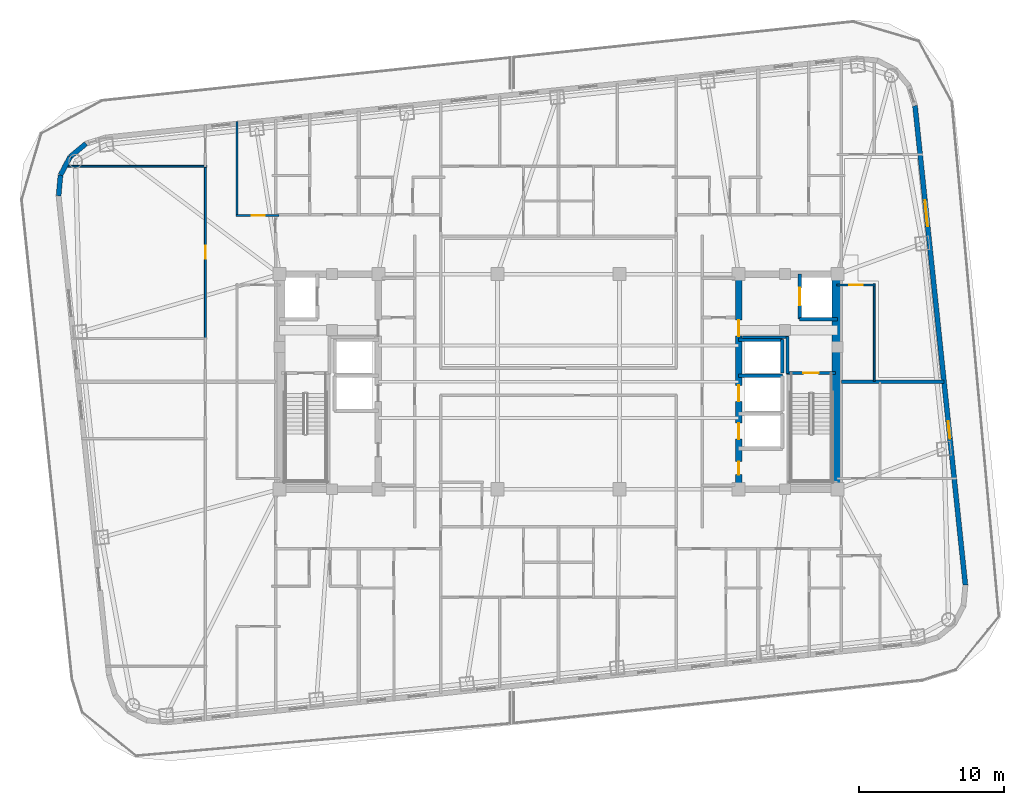
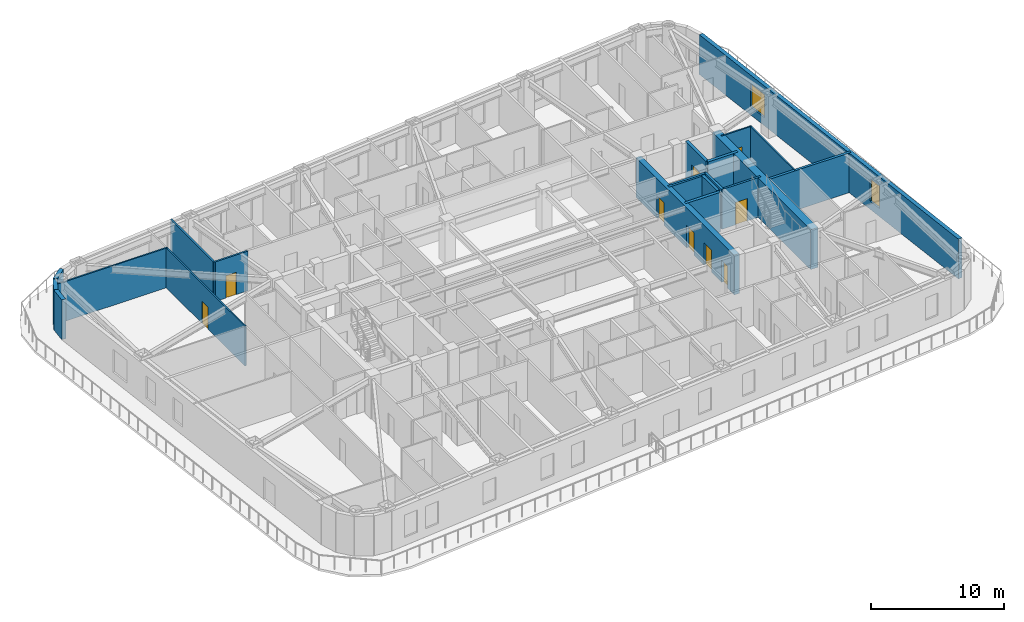
# One storey, part 7 of 15: 21 walls, 9 doors, 2 windows, 11 openings.
"""IFC4 building model written with IfcOpenShell, lengths in metres."""

import ifcopenshell
import ifcopenshell.guid

model = None  # the IFC model being written
_history = None  # IfcOwnerHistory: only IFC2X3 demands one
_inside = {}  # id of a spatial element -> (the spatial element, [elements in it])
_under = {}  # id of a project, library or spatial element -> (it, [spatial elements below it])
_declared = {}  # id of a project -> (the project, [libraries it declares])
_typed = {}  # id of a type object -> (the type object, [elements of that type])
_made_of = {}  # id of a material, layer set ... -> (it, [elements and type objects made of it])


def new_model(schema):
    """Start an empty IFC model of exactly this schema.

    Asked for "IFC4X3", IfcOpenShell would pick the latest addendum, in which some entities
    have other attributes; the version numbers below select the first issue.
    IFC2X3 requires an IfcOwnerHistory on every rooted entity: one is made here for all.
    """
    global model, _history
    if schema == "IFC4X3":
        model = ifcopenshell.file(schema_version=(4, 3, 0, 0))
    else:
        model = ifcopenshell.file(schema=schema)
    _inside.clear()
    _under.clear()
    _declared.clear()
    _typed.clear()
    _made_of.clear()
    _history = None
    if model.schema == "IFC2X3":
        org = make("IfcOrganization", Name="unknown")
        user = make(
            "IfcPersonAndOrganization",
            ThePerson=make("IfcPerson", FamilyName="unknown"),
            TheOrganization=org,
        )
        app = make(
            "IfcApplication",
            ApplicationDeveloper=org,
            Version="unknown",
            ApplicationFullName="unknown",
            ApplicationIdentifier="unknown",
        )
        _history = make(
            "IfcOwnerHistory",
            OwningUser=user,
            OwningApplication=app,
            ChangeAction="ADDED",
            CreationDate=0,
        )
    return model


def make(cls, **values):
    """One entity of the class cls with the attributes given. An attribute that is None is left unset."""
    return model.create_entity(
        cls, **{name: value for name, value in values.items() if value is not None}
    )


def rooted(cls, **values):
    """An entity with a GlobalId (a new one), such as an element, a storey or a relation."""
    return make(cls, GlobalId=ifcopenshell.guid.new(), OwnerHistory=_history, **values)


def si_unit(unit_type, name, prefix=None):
    """IfcSIUnit, for example si_unit("LENGTHUNIT", "METRE", prefix="MILLI")."""
    return make("IfcSIUnit", UnitType=unit_type, Prefix=prefix, Name=name)


def assignment(units):
    """IfcUnitAssignment: the units of a project."""
    return None if units is None else make("IfcUnitAssignment", Units=units)


def point(xyz):
    """IfcCartesianPoint."""
    return None if xyz is None else make("IfcCartesianPoint", Coordinates=xyz)


def direction(xyz):
    """IfcDirection."""
    return None if xyz is None else make("IfcDirection", DirectionRatios=xyz)


def frame(location, z_axis=None, x_axis=None):
    """IfcAxis2Placement3D, a coordinate frame: its origin and axes. An axis left out is left unset."""
    return make(
        "IfcAxis2Placement3D",
        Location=point(location),
        Axis=direction(z_axis),
        RefDirection=direction(x_axis),
    )


def frame_2d(location, x_axis=None):
    """IfcAxis2Placement2D, a coordinate frame in the plane: its origin and x axis."""
    return make(
        "IfcAxis2Placement2D", Location=point(location), RefDirection=direction(x_axis)
    )


def origin():
    """The frame at (0, 0, 0) with its axes left unset."""
    return frame((0.0, 0.0, 0.0))


def place(relative_to, where):
    """IfcLocalPlacement: puts the frame where relative to a parent placement (None: the world)."""
    return make(
        "IfcLocalPlacement", PlacementRelTo=relative_to, RelativePlacement=where
    )


def context(
    kind, dimensions, precision=None, world=None, true_north=None, identifier=None
):
    """IfcGeometricRepresentationContext, for example the 3D "Model" context."""
    return make(
        "IfcGeometricRepresentationContext",
        ContextIdentifier=identifier,
        ContextType=kind,
        CoordinateSpaceDimension=dimensions,
        Precision=precision,
        WorldCoordinateSystem=world,
        TrueNorth=true_north,
    )


def subcontext(parent, identifier, kind, view, scale=None):
    """IfcGeometricRepresentationSubContext, for example "Body" below "Model"."""
    return make(
        "IfcGeometricRepresentationSubContext",
        ContextIdentifier=identifier,
        ContextType=kind,
        ParentContext=parent,
        TargetScale=scale,
        TargetView=view,
    )


def project(units=None, contexts=None):
    """IfcProject with its units and contexts."""
    return rooted(
        "IfcProject",
        Name="project",
        RepresentationContexts=contexts,
        UnitsInContext=assignment(units),
    )


def spatial(cls, under=None, at=None, **own):
    """A site, building, storey or space (cls), placed at a placement, below another one or the project."""
    s = rooted(cls, ObjectPlacement=at, **own)
    if under is not None:
        _under.setdefault(under.id(), (under, []))[1].append(s)
    return s


def profile(cls, at=None, kind="AREA", **sizes):
    """A parametric profile (cls). Its sizes go by their IFC names, for example OverallWidth=200.0."""
    return make(cls, ProfileType=kind, Position=at, **sizes)


def rectangle(**sizes):
    """IfcRectangleProfileDef."""
    return profile("IfcRectangleProfileDef", **sizes)


def extrude(swept, where, along, depth):
    """IfcExtrudedAreaSolid: the profile swept, set in the frame where, extruded along a direction by depth."""
    return make(
        "IfcExtrudedAreaSolid",
        SweptArea=swept,
        Position=where,
        ExtrudedDirection=direction(along),
        Depth=depth,
    )


def shape(context_of_items, identifier, shape_type, items):
    """IfcShapeRepresentation: the items that make up one representation, for example the "Body"."""
    return make(
        "IfcShapeRepresentation",
        ContextOfItems=context_of_items,
        RepresentationIdentifier=identifier,
        RepresentationType=shape_type,
        Items=items,
    )


def material(Name=None, Category=None):
    """IfcMaterial."""
    return make("IfcMaterial", Name=Name, Category=Category)


def layer(
    of_material, thickness, ventilated=None, Name=None, Category=None, Priority=None
):
    """IfcMaterialLayer: one layer of a wall or slab, of a material (None: an air gap)."""
    return make(
        "IfcMaterialLayer",
        Material=of_material,
        LayerThickness=thickness,
        IsVentilated=ventilated,
        Name=Name,
        Category=Category,
        Priority=Priority,
    )


def layer_set(layers, Name=None):
    """IfcMaterialLayerSet."""
    return make("IfcMaterialLayerSet", MaterialLayers=layers, LayerSetName=Name)


def made_of(thing, what):
    """Note that an element or type object is made of a material, layer set ...; save() writes the relation."""
    if what is not None:
        _made_of.setdefault(what.id(), (what, []))[1].append(thing)
    return thing


def type_object(cls, material=None, **own):
    """A type object (cls), such as IfcWallType, which elements share."""
    return made_of(rooted(cls, **own), material)


def element(
    cls,
    number,
    at=None,
    inside=None,
    cuts=None,
    type_object=None,
    material=None,
    context=None,
    identifier="Body",
    shape_type=None,
    held_by="IfcProductDefinitionShape",
    body=None,
    shapes=None,
    **own,
):
    """One element of the class cls, such as IfcWall. Its Tag is "e" and its number.

    at: its placement. inside: the storey or other place that contains it. cuts: it is an
    opening in that element (IfcRelVoidsElement). A single representation is given by context,
    identifier, shape_type and body (its items); several are given by shapes. held_by: the class
    of the entity that holds the representations. save() writes the other relations.
    """
    e = rooted(cls, Tag="e%d" % number, ObjectPlacement=at, **own)
    if body is not None:
        shapes = [shape(context, identifier, shape_type, body)]
    if shapes is not None:
        e.Representation = make(held_by, Representations=shapes)
    if inside is not None:
        _inside.setdefault(inside.id(), (inside, []))[1].append(e)
    if cuts is not None:
        rooted(
            "IfcRelVoidsElement", RelatingBuildingElement=cuts, RelatedOpeningElement=e
        )
    if type_object is not None:
        _typed.setdefault(type_object.id(), (type_object, []))[1].append(e)
    return made_of(e, material)


def fill(opening, filler):
    """IfcRelFillsElement: the door or window that sits in an opening."""
    return rooted(
        "IfcRelFillsElement",
        RelatingOpeningElement=opening,
        RelatedBuildingElement=filler,
    )


def aggregate(whole, parts):
    """IfcRelAggregates: a whole, such as a stair, and the parts it consists of."""
    return rooted("IfcRelAggregates", RelatingObject=whole, RelatedObjects=parts)


def save(model, path):
    """Write the relations noted so far, then the file.

    IfcRelAggregates (storeys below a building ...), IfcRelContainedInSpatialStructure (elements
    in a storey), IfcRelDefinesByType, IfcRelAssociatesMaterial and IfcRelDeclares: one each for
    every whole, place, type object, material and project.
    """
    for whole, parts in _under.values():
        aggregate(whole, parts)
    for where, things in _inside.values():
        rooted(
            "IfcRelContainedInSpatialStructure",
            RelatedElements=things,
            RelatingStructure=where,
        )
    for kind, things in _typed.values():
        rooted("IfcRelDefinesByType", RelatedObjects=things, RelatingType=kind)
    for what, things in _made_of.values():
        rooted("IfcRelAssociatesMaterial", RelatedObjects=things, RelatingMaterial=what)
    for by, libraries in _declared.values():
        rooted("IfcRelDeclares", RelatingContext=by, RelatedDefinitions=libraries)
    model.write(path)


model = new_model("IFC4")

# Units and contexts
model_context = context("Model", 3, precision=1e-05, world=origin(), true_north=direction((0.0, 1.0)))
body_context = subcontext(model_context, "Body", "Model", "MODEL_VIEW")
ifc_project = project(units=[si_unit("LENGTHUNIT", "METRE"), si_unit("AREAUNIT", "SQUARE_METRE"), si_unit("VOLUMEUNIT", "CUBIC_METRE"), si_unit("PLANEANGLEUNIT", "RADIAN"), si_unit("MASSUNIT", "GRAM", prefix="KILO")], contexts=[model_context])

# Site, building, storey
site_placement = place(None, origin())
site = spatial("IfcSite", under=ifc_project, at=site_placement, CompositionType="ELEMENT")
building_placement = place(site_placement, origin())
building = spatial("IfcBuilding", under=site, at=building_placement, Name="Voryun Gate Residences", CompositionType="ELEMENT")
storey_placement = place(building_placement, frame((0.0, 0.0, 171.60009765625)))
storey = spatial("IfcBuildingStorey", under=building, at=storey_placement, Name="L42", CompositionType="ELEMENT", Elevation=171.60009765625)

# Wall, openings, doors
ifc_material_1 = material(Name="Concrete C50/60", Category="concrete")
ifc_layer_1 = layer(ifc_material_1, 0.449951171875, Name="CW_CORE_450")
ifc_layer_set_1 = layer_set([ifc_layer_1], Name="Concrete C50/60")
wall_type_1 = type_object("IfcWallType", Name="CW_CORE_450", PredefinedType="SHEAR", material=ifc_layer_set_1)
wall_1_placement = place(storey_placement, frame((12.39990234375, -7.39990234375, 0.0), z_axis=(0.0, 0.0, 1.0), x_axis=(0.0, 1.0, 0.0)))
wall_1 = element("IfcWall", 1, at=wall_1_placement, inside=storey, type_object=wall_type_1, Name="L42 Core shear wall CW-L42-EW", PredefinedType="SHEAR", context=body_context, shape_type="SweptSolid", body=[
    extrude(rectangle(XDim=14.7998046875, YDim=0.449951171875, at=frame_2d((7.39990234375, 0.0))), origin(), (0.0, 0.0, 1.0), 3.64990234375),
])
opening_1_placement = place(wall_1_placement, frame((3.449951171875, 0.0, 0.0)))
opening_1 = element("IfcOpeningElement", 2, at=opening_1_placement, cuts=wall_1, Name="Opening LD2", PredefinedType="OPENING", context=body_context, shape_type="SweptSolid", body=[
    extrude(rectangle(XDim=1.10009765625, YDim=2.050048828125, at=frame_2d((0.550048828125, 1.02490234375))), frame((0.0, 0.235107421875, 0.0), z_axis=(0.0, -1.0, 0.0), x_axis=(1.0, 0.0, 0.0)), (0.0, 0.0, 1.0), 0.469970703125),
])
opening_2_placement = place(wall_1_placement, frame((6.050048828125, 0.0, 0.0)))
opening_2 = element("IfcOpeningElement", 3, at=opening_2_placement, cuts=wall_1, Name="Opening LD2", PredefinedType="OPENING", context=body_context, shape_type="SweptSolid", body=[
    extrude(rectangle(XDim=1.10009765625, YDim=2.050048828125, at=frame_2d((0.550048828125, 1.02490234375))), frame((0.0, 0.235107421875, 0.0), z_axis=(0.0, -1.0, 0.0), x_axis=(1.0, 0.0, 0.0)), (0.0, 0.0, 1.0), 0.469970703125),
])
opening_3_placement = place(wall_1_placement, frame((10.530029296875, 0.0, 0.0)))
opening_3 = element("IfcOpeningElement", 4, at=opening_3_placement, cuts=wall_1, Name="Opening D-FD60-2", PredefinedType="OPENING", context=body_context, shape_type="SweptSolid", body=[
    extrude(rectangle(XDim=1.10009765625, YDim=2.050048828125, at=frame_2d((0.550048828125, 1.02490234375))), frame((0.0, 0.235107421875, 0.0), z_axis=(0.0, -1.0, 0.0), x_axis=(1.0, 0.0, 0.0)), (0.0, 0.0, 1.0), 0.469970703125),
])
opening_4_placement = place(wall_1_placement, frame((1.0, 0.0, 0.0)))
opening_4 = element("IfcOpeningElement", 5, at=opening_4_placement, cuts=wall_1, Name="Opening D-FD60-4", PredefinedType="OPENING", context=body_context, shape_type="SweptSolid", body=[
    extrude(rectangle(XDim=0.89990234375, YDim=2.050048828125, at=frame_2d((0.449951171875, 1.02490234375))), frame((0.0, 0.235107421875, 0.0), z_axis=(0.0, -1.0, 0.0), x_axis=(1.0, 0.0, 0.0)), (0.0, 0.0, 1.0), 0.469970703125),
])
ifc_material_2 = material(Name="Painted steel fire door", Category="steel")
door_type_1 = type_object("IfcDoorType", Name="DR_FD60_FFLOB_1100", OperationType="NOTDEFINED", PredefinedType="DOOR", material=ifc_material_2)
door_1_placement = place(opening_3_placement, origin())
door_1 = element("IfcDoor", 6, at=door_1_placement, inside=storey, type_object=door_type_1, Name="Door DR-L42-CLOB-E", OperationType="SINGLE_SWING_RIGHT", OverallHeight=2.050048828125, OverallWidth=1.10009765625, PredefinedType="DOOR", context=body_context, shape_type="SweptSolid", body=[
    extrude(rectangle(XDim=1.10009765625, YDim=2.050048828125, at=frame_2d((0.550048828125, 1.02490234375))), frame((0.0, 0.02490234375, 0.0), z_axis=(0.0, -1.0, 0.0), x_axis=(1.0, 0.0, 0.0)), (0.0, 0.0, 1.0), 0.050048828125),
])
fill(opening_3, door_1)
ifc_material_3 = material(Name="Painted steel fire door", Category="steel")
door_type_2 = type_object("IfcDoorType", Name="DR_FD60_RISER_900", OperationType="NOTDEFINED", PredefinedType="DOOR", material=ifc_material_3)
door_2_placement = place(opening_4_placement, origin())
door_2 = element("IfcDoor", 7, at=door_2_placement, inside=storey, type_object=door_type_2, Name="Door DR-L42-RECE1", OperationType="SINGLE_SWING_RIGHT", OverallHeight=2.050048828125, OverallWidth=0.89990234375, PredefinedType="DOOR", context=body_context, shape_type="SweptSolid", body=[
    extrude(rectangle(XDim=0.89990234375, YDim=2.050048828125, at=frame_2d((0.449951171875, 1.02490234375))), frame((0.0, 0.02490234375, 0.0), z_axis=(0.0, -1.0, 0.0), x_axis=(1.0, 0.0, 0.0)), (0.0, 0.0, 1.0), 0.050048828125),
])
fill(opening_4, door_2)
ifc_material_4 = material(Name="Anodised aluminium", Category="aluminium")
door_type_3 = type_object("IfcDoorType", Name="DR_LD_PASS_1100", OperationType="NOTDEFINED", PredefinedType="DOOR", material=ifc_material_4)
door_3_placement = place(opening_1_placement, origin())
door_3 = element("IfcDoor", 8, at=door_3_placement, inside=storey, type_object=door_type_3, Name="Lift EL-P5 sliding landing door L42", OperationType="SLIDING_TO_LEFT", OverallHeight=2.050048828125, OverallWidth=1.10009765625, PredefinedType="DOOR", context=body_context, shape_type="SweptSolid", body=[
    extrude(rectangle(XDim=1.10009765625, YDim=2.050048828125, at=frame_2d((0.550048828125, 1.02490234375))), frame((0.0, 0.02490234375, 0.0), z_axis=(0.0, -1.0, 0.0), x_axis=(1.0, 0.0, 0.0)), (0.0, 0.0, 1.0), 0.050048828125),
])
fill(opening_1, door_3)
door_4_placement = place(opening_2_placement, origin())
door_4 = element("IfcDoor", 9, at=door_4_placement, inside=storey, type_object=door_type_3, Name="Lift EL-P6 sliding landing door L42", OperationType="SLIDING_TO_LEFT", OverallHeight=2.050048828125, OverallWidth=1.10009765625, PredefinedType="DOOR", context=body_context, shape_type="SweptSolid", body=[
    extrude(rectangle(XDim=1.10009765625, YDim=2.050048828125, at=frame_2d((0.550048828125, 1.02490234375))), frame((0.0, 0.02490234375, 0.0), z_axis=(0.0, -1.0, 0.0), x_axis=(1.0, 0.0, 0.0)), (0.0, 0.0, 1.0), 0.050048828125),
])
fill(opening_2, door_4)

# Wall
ifc_material_5 = material(Name="Concrete C60/75", Category="concrete")
ifc_layer_2 = layer(ifc_material_5, 0.64990234375, Name="CW_CORE_650")
ifc_layer_set_2 = layer_set([ifc_layer_2], Name="Concrete C60/75")
wall_type_2 = type_object("IfcWallType", Name="CW_CORE_650", PredefinedType="SHEAR", material=ifc_layer_set_2)
wall_2_placement = place(storey_placement, frame((19.14501953125, -7.39990234375, 0.0), z_axis=(0.0, 0.0, 1.0), x_axis=(0.0, 1.0, 0.0)))
element("IfcWall", 10, at=wall_2_placement, inside=storey, type_object=wall_type_2, Name="L42 Core shear wall CW-L42-EE", PredefinedType="SHEAR", context=body_context, shape_type="SweptSolid", body=[
    extrude(rectangle(XDim=14.7998046875, YDim=0.64990234375, at=frame_2d((7.39990234375, 0.0))), origin(), (0.0, 0.0, 1.0), 3.64990234375),
])

# Wall, opening, door
ifc_material_6 = material(Name="Gypsum acoustic fireboard")
ifc_layer_3 = layer(ifc_material_6, 0.179931640625, Name="W_CORR_RATED_180")
ifc_layer_set_3 = layer_set([ifc_layer_3], Name="Gypsum acoustic fireboard")
wall_type_3 = type_object("IfcWallType", Name="W_CORR_RATED_180", PredefinedType="PARTITIONING", material=ifc_layer_set_3)
wall_3_placement = place(storey_placement, frame((15.699951171875, 0.60009765625, 0.0), z_axis=(0.0, 0.0, 1.0), x_axis=(1.0, 0.0, 0.0)))
wall_3 = element("IfcWall", 11, at=wall_3_placement, inside=storey, type_object=wall_type_3, Name="Partition wall WP-L42-STV-E", PredefinedType="PARTITIONING", context=body_context, shape_type="SweptSolid", body=[
    extrude(rectangle(XDim=3.360107421875, YDim=0.179931640625, at=frame_2d((1.68017578125, 0.0))), origin(), (0.0, 0.0, 1.0), 3.64990234375),
])
opening_5_placement = place(wall_3_placement, frame((1.155029296875, 0.0, 0.0)))
opening_5 = element("IfcOpeningElement", 12, at=opening_5_placement, cuts=wall_3, Name="Opening D-FD60-1", PredefinedType="OPENING", context=body_context, shape_type="SweptSolid", body=[
    extrude(rectangle(XDim=1.050048828125, YDim=2.050048828125, at=frame_2d((0.52490234375, 1.02490234375))), frame((0.0, 0.099853515625, 0.0), z_axis=(0.0, -1.0, 0.0), x_axis=(1.0, 0.0, 0.0)), (0.0, 0.0, 1.0), 0.199951171875),
])
ifc_material_7 = material(Name="Painted steel fire door", Category="steel")
door_type_4 = type_object("IfcDoorType", Name="DR_FD60_STAIR_1050", OperationType="NOTDEFINED", PredefinedType="DOOR", material=ifc_material_7)
door_5_placement = place(opening_5_placement, origin())
door_5 = element("IfcDoor", 13, at=door_5_placement, inside=storey, type_object=door_type_4, Name="Door DR-L42-ST-E", OperationType="SINGLE_SWING_RIGHT", OverallHeight=2.050048828125, OverallWidth=1.050048828125, PredefinedType="DOOR", context=body_context, shape_type="SweptSolid", body=[
    extrude(rectangle(XDim=1.050048828125, YDim=2.050048828125, at=frame_2d((0.52490234375, 1.02490234375))), frame((0.0, 0.02490234375, 0.0), z_axis=(0.0, -1.0, 0.0), x_axis=(1.0, 0.0, 0.0)), (0.0, 0.0, 1.0), 0.050048828125),
])
fill(opening_5, door_5)

# Walls
ifc_material_8 = material(Name="Charcoal terracotta masonry", Category="masonry")
ifc_layer_4 = layer(ifc_material_8, 0.340087890625, Name="W_EXT_TERRACOTTA_340")
ifc_layer_set_4 = layer_set([ifc_layer_4], Name="Charcoal terracotta masonry")
wall_type_4 = type_object("IfcWallType", Name="W_EXT_TERRACOTTA_340", PredefinedType="ELEMENTEDWALL", material=ifc_layer_set_4)
wall_4_placement = place(storey_placement, frame((-34.401123046875, 12.795166015625, 0.0), z_axis=(0.0, 0.0, 1.0), x_axis=(0.091534682358, 0.995801888894, 0.0)))
element("IfcWall", 14, at=wall_4_placement, inside=storey, type_object=wall_type_4, Name="Exterior wall WEXT-L42-07", PredefinedType="ELEMENTEDWALL", context=body_context, shape_type="SweptSolid", body=[
    extrude(rectangle(XDim=1.432373046875, YDim=0.340087890625, at=frame_2d((0.71630859375, 0.0))), origin(), (0.0, 0.0, 1.0), 3.64990234375),
])
for number, where, z_axis, x_axis, name in (
    (15, (-34.27001953125, 14.221435546875, 0.0), (0.0, 0.0, 1.0), (0.465682431293, 0.884951904447, 0.0), "Exterior wall WEXT-L42-08"),
    (16, (-33.611083984375, 15.4736328125, 0.0), (0.0, 0.0, 1.0), (0.768843196093, 0.639437361921, 0.0), "Exterior wall WEXT-L42-09"),
):
    element("IfcWall", number, at=place(storey_placement, frame(where, z_axis=z_axis, x_axis=x_axis)), inside=storey, type_object=wall_type_4, Name=name, PredefinedType="ELEMENTEDWALL", context=body_context, shape_type="SweptSolid", body=[
        extrude(rectangle(XDim=1.4150390625, YDim=0.340087890625, at=frame_2d((0.70751953125, 0.0))), origin(), (0.0, 0.0, 1.0), 3.64990234375),
    ])

# Wall, openings, windows
wall_5_placement = place(storey_placement, frame((24.5341796875, 18.989501953125, 0.0), z_axis=(0.0, 0.0, 1.0), x_axis=(0.104534959766, -0.994521212537, 0.0)))
wall_5 = element("IfcWall", 17, at=wall_5_placement, inside=storey, type_object=wall_type_4, Name="Exterior wall WEXT-L42-16", PredefinedType="ELEMENTEDWALL", context=body_context, shape_type="SweptSolid", body=[
    extrude(rectangle(XDim=33.166259765625, YDim=0.340087890625, at=frame_2d((16.5830078125, 0.0))), origin(), (0.0, 0.0, 1.0), 3.64990234375),
])
opening_6_placement = place(wall_5_placement, frame((6.54150390625, 0.0, 0.75)))
opening_6 = element("IfcOpeningElement", 18, at=opening_6_placement, cuts=wall_5, Name="Opening WN1", PredefinedType="OPENING", context=body_context, shape_type="SweptSolid", body=[
    extrude(rectangle(XDim=1.800048828125, YDim=2.10009765625, at=frame_2d((0.89990234375, 1.050048828125))), frame((0.0, 0.179931640625, 0.0), z_axis=(0.0, -1.0, 0.0), x_axis=(1.0, 0.0, 0.0)), (0.0, 0.0, 1.0), 0.360107421875),
])
opening_7_placement = place(wall_5_placement, frame((21.840087890625, 0.0, 0.75)))
opening_7 = element("IfcOpeningElement", 19, at=opening_7_placement, cuts=wall_5, Name="Opening WN6", PredefinedType="OPENING", context=body_context, shape_type="SweptSolid", body=[
    extrude(rectangle(XDim=1.199951171875, YDim=2.050048828125, at=frame_2d((0.60009765625, 1.02490234375))), frame((0.0, 0.179931640625, 0.0), z_axis=(0.0, -1.0, 0.0), x_axis=(1.0, 0.0, 0.0)), (0.0, 0.0, 1.0), 0.360107421875),
])
ifc_material_9 = material(Name="Laminated low-E glass", Category="glass")
window_type_1 = type_object("IfcWindowType", Name="WN_POD_SLOT_1200", PartitioningType="SINGLE_PANEL", PredefinedType="WINDOW", material=ifc_material_9)
window_1_placement = place(opening_7_placement, origin())
window_1 = element("IfcWindow", 20, at=window_1_placement, inside=storey, type_object=window_type_1, Name="Window WN-L42-DWFIX-27", OverallHeight=2.050048828125, OverallWidth=1.199951171875, PartitioningType="SINGLE_PANEL", PredefinedType="WINDOW", context=body_context, shape_type="SweptSolid", body=[
    extrude(rectangle(XDim=1.199951171875, YDim=2.050048828125, at=frame_2d((0.60009765625, 1.02490234375))), frame((0.0, 0.030029296875, 0.0), z_axis=(0.0, -1.0, 0.0), x_axis=(1.0, 0.0, 0.0)), (0.0, 0.0, 1.0), 0.06005859375),
])
fill(opening_7, window_1)
ifc_material_10 = material(Name="Laminated low-E glass", Category="glass")
window_type_2 = type_object("IfcWindowType", Name="WN_RES_PUNCH_1800", PartitioningType="SINGLE_PANEL", PredefinedType="WINDOW", material=ifc_material_10)
window_2_placement = place(opening_6_placement, origin())
window_2 = element("IfcWindow", 21, at=window_2_placement, inside=storey, type_object=window_type_2, Name="Window WN-WEXT-L42-16-01", OverallHeight=2.10009765625, OverallWidth=1.800048828125, PartitioningType="SINGLE_PANEL", PredefinedType="WINDOW", context=body_context, shape_type="SweptSolid", body=[
    extrude(rectangle(XDim=1.800048828125, YDim=2.10009765625, at=frame_2d((0.89990234375, 1.050048828125))), frame((0.0, 0.030029296875, 0.0), z_axis=(0.0, -1.0, 0.0), x_axis=(1.0, 0.0, 0.0)), (0.0, 0.0, 1.0), 0.06005859375),
])
fill(opening_6, window_2)

# Walls
ifc_material_11 = material(Name="Concrete C40/50", Category="concrete")
ifc_layer_5 = layer(ifc_material_11, 0.199951171875, Name="W_FF_LOBBY_200")
ifc_layer_set_5 = layer_set([ifc_layer_5], Name="Concrete C40/50")
wall_type_5 = type_object("IfcWallType", Name="W_FF_LOBBY_200", PredefinedType="PARTITIONING", material=ifc_layer_set_5)
wall_6_placement = place(storey_placement, frame((15.760009765625, 0.580078125, 0.0), z_axis=(0.0, 0.0, 1.0), x_axis=(0.0, 1.0, 0.0)))
element("IfcWall", 22, at=wall_6_placement, inside=storey, type_object=wall_type_5, Name="Partition wall WP-L42-FFP0-E", PredefinedType="PARTITIONING", context=body_context, shape_type="SweptSolid", body=[
    extrude(rectangle(XDim=2.52001953125, YDim=0.199951171875, at=frame_2d((1.260009765625, 0.0))), origin(), (0.0, 0.0, 1.0), 3.64990234375),
])
wall_7_placement = place(storey_placement, frame((12.659912109375, 3.06005859375, 0.0), z_axis=(0.0, 0.0, 1.0), x_axis=(1.0, 0.0, 0.0)))
element("IfcWall", 23, at=wall_7_placement, inside=storey, type_object=wall_type_5, Name="Partition wall WP-L42-FFPS-E", PredefinedType="PARTITIONING", context=body_context, shape_type="SweptSolid", body=[
    extrude(rectangle(XDim=3.16015625, YDim=0.199951171875, at=frame_2d((1.580078125, 0.0))), origin(), (0.0, 0.0, 1.0), 3.64990234375),
])
ifc_material_12 = material(Name="Concrete C40/50", Category="concrete")
ifc_layer_6 = layer(ifc_material_12, 0.219970703125, Name="W_PARTY_ACOUSTIC_220")
ifc_layer_set_6 = layer_set([ifc_layer_6], Name="Concrete C40/50")
wall_type_6 = type_object("IfcWallType", Name="W_PARTY_ACOUSTIC_220", PredefinedType="PARTITIONING", material=ifc_layer_set_6)
wall_8_placement = place(storey_placement, frame((19.469970703125, 0.0, 0.0), z_axis=(0.0, 0.0, 1.0), x_axis=(1.0, 0.0, 0.0)))
element("IfcWall", 24, at=wall_8_placement, inside=storey, type_object=wall_type_6, Name="Partition wall WP-L42-EPTY", PredefinedType="PARTITIONING", context=body_context, shape_type="SweptSolid", body=[
    extrude(rectangle(XDim=7.06005859375, YDim=0.219970703125, at=frame_2d((3.530029296875, 0.0))), origin(), (0.0, 0.0, 1.0), 3.64990234375),
])
ifc_material_13 = material(Name="Concrete C50/60", Category="concrete")
ifc_layer_7 = layer(ifc_material_13, 0.25, Name="W_SHAFT_RC250")
ifc_layer_set_7 = layer_set([ifc_layer_7], Name="Concrete C50/60")
wall_type_7 = type_object("IfcWallType", Name="W_SHAFT_RC250", PredefinedType="SOLIDWALL", material=ifc_layer_set_7)
wall_9_placement = place(storey_placement, frame((16.60009765625, 4.300048828125, 0.0), z_axis=(0.0, 0.0, 1.0), x_axis=(1.0, 0.0, 0.0)))
element("IfcWall", 25, at=wall_9_placement, inside=storey, type_object=wall_type_7, Name="Lift shaft wall WSH-L42-EL-FF-E1-S", PredefinedType="SOLIDWALL", context=body_context, shape_type="SweptSolid", body=[
    extrude(rectangle(XDim=2.599853515625, YDim=0.25, at=frame_2d((1.2998046875, 0.0))), origin(), (0.0, 0.0, 1.0), 3.64990234375),
])

# Wall, opening, door
wall_10_placement = place(storey_placement, frame((16.60009765625, 7.39990234375, 0.0), z_axis=(0.0, 0.0, 1.0), x_axis=(0.0, -1.0, 0.0)))
wall_10 = element("IfcWall", 26, at=wall_10_placement, inside=storey, type_object=wall_type_7, Name="Lift shaft wall WSH-L42-EL-FF-E1-W", PredefinedType="SOLIDWALL", context=body_context, shape_type="SweptSolid", body=[
    extrude(rectangle(XDim=3.099853515625, YDim=0.25, at=frame_2d((1.5498046875, 0.0))), origin(), (0.0, 0.0, 1.0), 3.64990234375),
])
opening_8_placement = place(wall_10_placement, frame((0.949951171875, 0.0, 0.0)))
opening_8 = element("IfcOpeningElement", 27, at=opening_8_placement, cuts=wall_10, Name="Opening LD1", PredefinedType="OPENING", context=body_context, shape_type="SweptSolid", body=[
    extrude(rectangle(XDim=1.199951171875, YDim=2.050048828125, at=frame_2d((0.60009765625, 1.02490234375))), frame((0.0, 0.135009765625, 0.0), z_axis=(0.0, -1.0, 0.0), x_axis=(1.0, 0.0, 0.0)), (0.0, 0.0, 1.0), 0.27001953125),
])
ifc_material_14 = material(Name="Anodised aluminium", Category="aluminium")
door_type_5 = type_object("IfcDoorType", Name="DR_LD_FF_1200", OperationType="NOTDEFINED", PredefinedType="DOOR", material=ifc_material_14)
door_6_placement = place(opening_8_placement, origin())
door_6 = element("IfcDoor", 28, at=door_6_placement, inside=storey, type_object=door_type_5, Name="Lift EL-FF-E1 sliding landing door L42", OperationType="SLIDING_TO_LEFT", OverallHeight=2.050048828125, OverallWidth=1.199951171875, PredefinedType="DOOR", context=body_context, shape_type="SweptSolid", body=[
    extrude(rectangle(XDim=1.199951171875, YDim=2.050048828125, at=frame_2d((0.60009765625, 1.02490234375))), frame((0.0, 0.02490234375, 0.0), z_axis=(0.0, -1.0, 0.0), x_axis=(1.0, 0.0, 0.0)), (0.0, 0.0, 1.0), 0.050048828125),
])
fill(opening_8, door_6)

# Walls
wall_11_placement = place(storey_placement, frame((15.39990234375, 0.39990234375, 0.0), z_axis=(0.0, 0.0, 1.0), x_axis=(-1.0, 0.0, 0.0)))
element("IfcWall", 29, at=wall_11_placement, inside=storey, type_object=wall_type_7, Name="Lift shaft wall WSH-L42-EL-P6-N", PredefinedType="SOLIDWALL", context=body_context, shape_type="SweptSolid", body=[
    extrude(rectangle(XDim=3.0, YDim=0.25, at=frame_2d((1.5, 0.0))), origin(), (0.0, 0.0, 1.0), 3.64990234375),
])
wall_12_placement = place(storey_placement, frame((15.39990234375, 0.60009765625, 0.0), z_axis=(0.0, 0.0, 1.0), x_axis=(0.0, 1.0, 0.0)))
element("IfcWall", 30, at=wall_12_placement, inside=storey, type_object=wall_type_7, Name="Lift shaft wall WSH-L42-EL-P8-E", PredefinedType="SOLIDWALL", context=body_context, shape_type="SweptSolid", body=[
    extrude(rectangle(XDim=2.2998046875, YDim=0.25, at=frame_2d((1.14990234375, 0.0))), origin(), (0.0, 0.0, 1.0), 3.64990234375),
])
wall_13_placement = place(storey_placement, frame((15.39990234375, 2.89990234375, 0.0), z_axis=(0.0, 0.0, 1.0), x_axis=(-1.0, 0.0, 0.0)))
element("IfcWall", 31, at=wall_13_placement, inside=storey, type_object=wall_type_7, Name="Lift shaft wall WSH-L42-EL-P8-N", PredefinedType="SOLIDWALL", context=body_context, shape_type="SweptSolid", body=[
    extrude(rectangle(XDim=3.0, YDim=0.25, at=frame_2d((1.5, 0.0))), origin(), (0.0, 0.0, 1.0), 3.64990234375),
])
ifc_material_15 = material(Name="Gypsum acoustic partition")
ifc_layer_8 = layer(ifc_material_15, 0.125, Name="W_UNIT_PART_125")
ifc_layer_set_8 = layer_set([ifc_layer_8], Name="Gypsum acoustic partition")
wall_type_8 = type_object("IfcWallType", Name="W_UNIT_PART_125", PredefinedType="PARTITIONING", material=ifc_layer_set_8)
wall_14_placement = place(storey_placement, frame((-34.1171875, 14.833984375, 0.0), z_axis=(0.0, 0.0, 1.0), x_axis=(1.0, 0.0, 0.0)))
element("IfcWall", 32, at=wall_14_placement, inside=storey, type_object=wall_type_8, Name="Partition wall WP-L42-W2-OH2", PredefinedType="PARTITIONING", context=body_context, shape_type="SweptSolid", body=[
    extrude(rectangle(XDim=9.897216796875, YDim=0.125, at=frame_2d((4.94873046875, 0.0))), origin(), (0.0, 0.0, 1.0), 3.64990234375),
])

# Wall, opening, door
wall_15_placement = place(storey_placement, frame((-24.300048828125, 2.928955078125, 0.0), z_axis=(0.0, 0.0, 1.0), x_axis=(0.0, 1.0, 0.0)))
wall_15 = element("IfcWall", 33, at=wall_15_placement, inside=storey, type_object=wall_type_8, Name="Partition wall WP-L42-W2-OVX2", PredefinedType="PARTITIONING", context=body_context, shape_type="SweptSolid", body=[
    extrude(rectangle(XDim=11.955078125, YDim=0.125, at=frame_2d((5.9775390625, 0.0))), origin(), (0.0, 0.0, 1.0), 3.64990234375),
])
opening_9_placement = place(wall_15_placement, frame((5.527587890625, 0.0, 0.0)))
opening_9 = element("IfcOpeningElement", 34, at=opening_9_placement, cuts=wall_15, Name="Opening D-INT-2", PredefinedType="OPENING", context=body_context, shape_type="SweptSolid", body=[
    extrude(rectangle(XDim=0.89990234375, YDim=2.050048828125, at=frame_2d((0.449951171875, 1.02490234375))), frame((0.0, 0.072509765625, 0.0), z_axis=(0.0, -1.0, 0.0), x_axis=(1.0, 0.0, 0.0)), (0.0, 0.0, 1.0), 0.14501953125),
])
ifc_material_16 = material(Name="Architectural oak veneer")
door_type_6 = type_object("IfcDoorType", Name="DR_INT_BATH_900", OperationType="NOTDEFINED", PredefinedType="DOOR", material=ifc_material_16)
door_7_placement = place(opening_9_placement, origin())
door_7 = element("IfcDoor", 35, at=door_7_placement, inside=storey, type_object=door_type_6, Name="Door DR-L42-W2-DSTD", OperationType="SINGLE_SWING_RIGHT", OverallHeight=2.050048828125, OverallWidth=0.89990234375, PredefinedType="DOOR", context=body_context, shape_type="SweptSolid", body=[
    extrude(rectangle(XDim=0.89990234375, YDim=2.050048828125, at=frame_2d((0.449951171875, 1.02490234375))), frame((0.0, 0.02490234375, 0.0), z_axis=(0.0, -1.0, 0.0), x_axis=(1.0, 0.0, 0.0)), (0.0, 0.0, 1.0), 0.050048828125),
])
fill(opening_9, door_7)

wall_16_placement = place(storey_placement, frame((19.14990234375, 6.659912109375, 0.0), z_axis=(0.0, 0.0, 1.0), x_axis=(1.0, 0.0, 0.0)))
wall_16 = element("IfcWall", 36, at=wall_16_placement, inside=storey, type_object=wall_type_8, Name="Partition wall WP-L42-E2-IKA", PredefinedType="PARTITIONING", context=body_context, shape_type="SweptSolid", body=[
    extrude(rectangle(XDim=2.6591796875, YDim=0.125, at=frame_2d((1.32958984375, 0.0))), origin(), (0.0, 0.0, 1.0), 3.64990234375),
])
opening_10_placement = place(wall_16_placement, frame((0.8544921875, 0.0, 0.0)))
opening_10 = element("IfcOpeningElement", 37, at=opening_10_placement, cuts=wall_16, Name="Opening D-INT-1", PredefinedType="OPENING", context=body_context, shape_type="SweptSolid", body=[
    extrude(rectangle(XDim=0.949951171875, YDim=2.050048828125, at=frame_2d((0.47509765625, 1.02490234375))), frame((0.0, 0.072509765625, 0.0), z_axis=(0.0, -1.0, 0.0), x_axis=(1.0, 0.0, 0.0)), (0.0, 0.0, 1.0), 0.14501953125),
])
ifc_material_17 = material(Name="Architectural oak veneer")
door_type_7 = type_object("IfcDoorType", Name="DR_INT_ROOM_950", OperationType="NOTDEFINED", PredefinedType="DOOR", material=ifc_material_17)
door_8_placement = place(opening_10_placement, origin())
door_8 = element("IfcDoor", 38, at=door_8_placement, inside=storey, type_object=door_type_7, Name="Door DR-L42-E2-DK", OperationType="SINGLE_SWING_LEFT", OverallHeight=2.050048828125, OverallWidth=0.949951171875, PredefinedType="DOOR", context=body_context, shape_type="SweptSolid", body=[
    extrude(rectangle(XDim=0.949951171875, YDim=2.050048828125, at=frame_2d((0.47509765625, 1.02490234375))), frame((0.0, 0.02490234375, 0.0), z_axis=(0.0, -1.0, 0.0), x_axis=(1.0, 0.0, 0.0)), (0.0, 0.0, 1.0), 0.050048828125),
])
fill(opening_10, door_8)

# Wall
wall_17_placement = place(storey_placement, frame((21.72900390625, 0.02001953125, 0.0), z_axis=(0.0, 0.0, 1.0), x_axis=(0.0, 1.0, 0.0)))
element("IfcWall", 39, at=wall_17_placement, inside=storey, type_object=wall_type_8, Name="Partition wall WP-L42-E2-VTA", PredefinedType="PARTITIONING", context=body_context, shape_type="SweptSolid", body=[
    extrude(rectangle(XDim=6.719970703125, YDim=0.125, at=frame_2d((3.35986328125, 0.0))), origin(), (0.0, 0.0, 1.0), 3.64990234375),
])

# Wall, opening, door
ifc_material_18 = material(Name="Gypsum moisture-resistant partition")
ifc_layer_9 = layer(ifc_material_18, 0.14990234375, Name="W_WET_PLUMB_150")
ifc_layer_set_9 = layer_set([ifc_layer_9], Name="Gypsum moisture-resistant partition")
wall_type_9 = type_object("IfcWallType", Name="W_WET_PLUMB_150", PredefinedType="PLUMBINGWALL", material=ifc_layer_set_9)
wall_18_placement = place(storey_placement, frame((-22.199951171875, 11.43798828125, 0.0), z_axis=(0.0, 0.0, 1.0), x_axis=(1.0, 0.0, 0.0)))
wall_18 = element("IfcWall", 40, at=wall_18_placement, inside=storey, type_object=wall_type_9, Name="Partition wall WP-L42-W2-IBB", PredefinedType="PLUMBINGWALL", context=body_context, shape_type="SweptSolid", body=[
    extrude(rectangle(XDim=2.96484375, YDim=0.14990234375, at=frame_2d((1.482421875, 0.0))), origin(), (0.0, 0.0, 1.0), 3.64990234375),
])
opening_11_placement = place(wall_18_placement, frame((1.074951171875, 0.0, 0.0)))
opening_11 = element("IfcOpeningElement", 41, at=opening_11_placement, cuts=wall_18, Name="Opening D-INT-2", PredefinedType="OPENING", context=body_context, shape_type="SweptSolid", body=[
    extrude(rectangle(XDim=0.89990234375, YDim=2.050048828125, at=frame_2d((0.449951171875, 1.02490234375))), frame((0.0, 0.0849609375, 0.0), z_axis=(0.0, -1.0, 0.0), x_axis=(1.0, 0.0, 0.0)), (0.0, 0.0, 1.0), 0.169921875),
])
door_9_placement = place(opening_11_placement, origin())
door_9 = element("IfcDoor", 42, at=door_9_placement, inside=storey, type_object=door_type_6, Name="Door DR-L42-W2-DB", OperationType="SINGLE_SWING_RIGHT", OverallHeight=2.050048828125, OverallWidth=0.89990234375, PredefinedType="DOOR", context=body_context, shape_type="SweptSolid", body=[
    extrude(rectangle(XDim=0.89990234375, YDim=2.050048828125, at=frame_2d((0.449951171875, 1.02490234375))), frame((0.0, 0.02490234375, 0.0), z_axis=(0.0, -1.0, 0.0), x_axis=(1.0, 0.0, 0.0)), (0.0, 0.0, 1.0), 0.050048828125),
])
fill(opening_11, door_9)

# Wall
wall_19_placement = place(storey_placement, frame((-22.1201171875, 11.35791015625, 0.0), z_axis=(0.0, 0.0, 1.0), x_axis=(0.0, 1.0, 0.0)))
element("IfcWall", 43, at=wall_19_placement, inside=storey, type_object=wall_type_9, Name="Partition wall WP-L42-W2-VTB", PredefinedType="PLUMBINGWALL", context=body_context, shape_type="SweptSolid", body=[
    extrude(rectangle(XDim=6.5458984375, YDim=0.14990234375, at=frame_2d((3.27294921875, 0.0))), origin(), (0.0, 0.0, 1.0), 3.64990234375),
])

save(model, "model.ifc")
